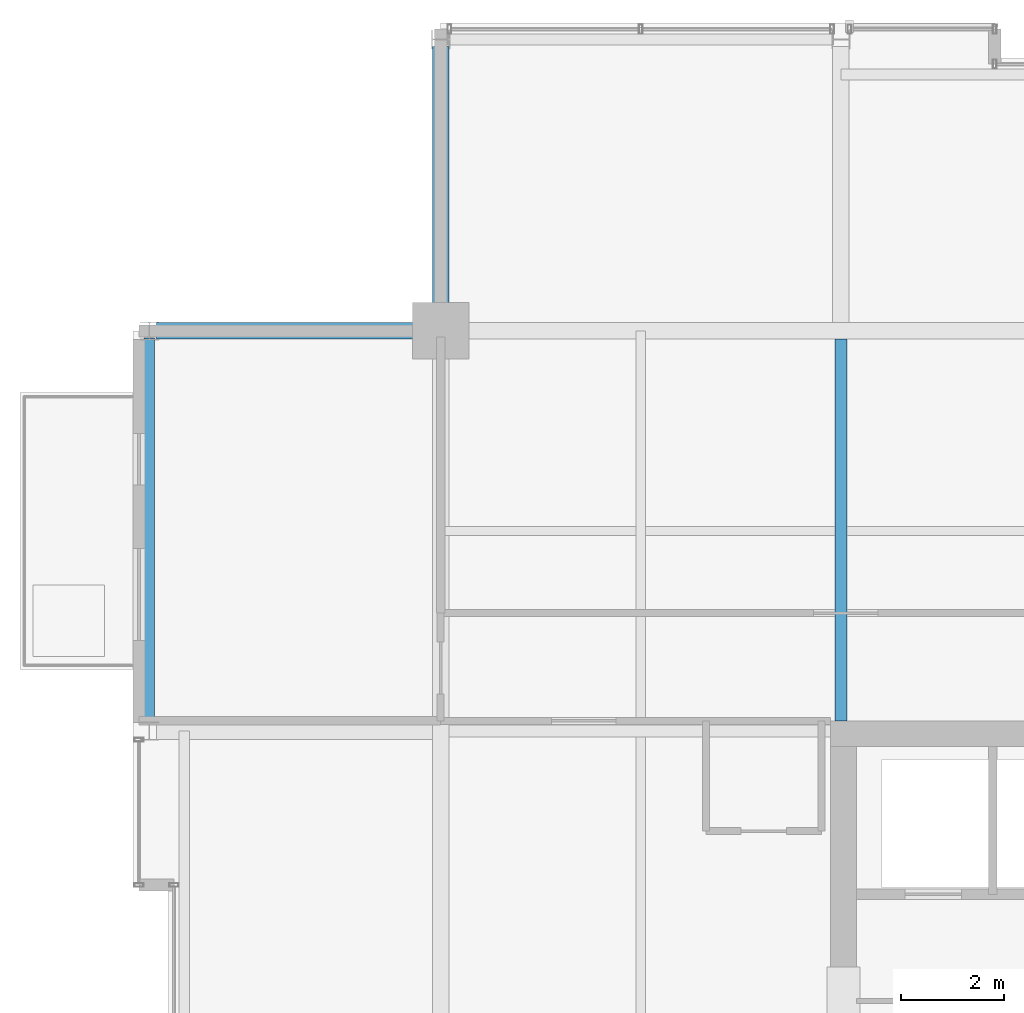
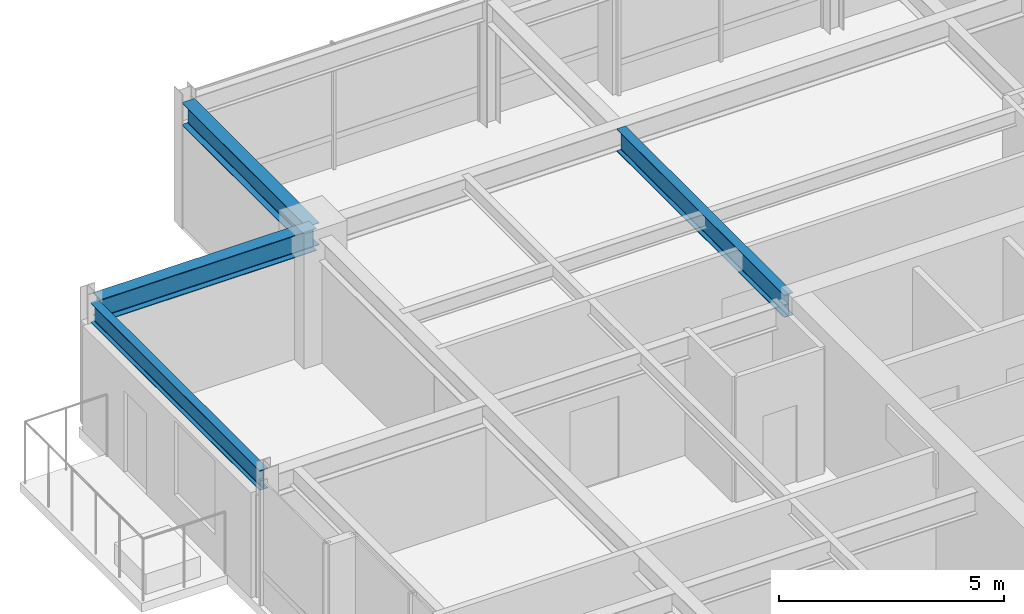
# One storey, part 20 of 33: 4 beams.
"""IFC4 building model written with IfcOpenShell, lengths in metres."""

from ifc_helpers import new_model, si_unit, direction, frame, origin, origin_2d, place, context, subcontext, project, spatial, i_section, extrude, material, material_profile, profile_set, type_object, element, save


model = new_model("IFC4")

# Units and contexts
model_context = context("Model", 3, precision=1e-05, world=origin(), true_north=direction((0.0, 1.0)))
body_context = subcontext(model_context, "Body", "Model", "MODEL_VIEW")
ifc_project = project(units=[si_unit("LENGTHUNIT", "METRE"), si_unit("AREAUNIT", "SQUARE_METRE"), si_unit("VOLUMEUNIT", "CUBIC_METRE"), si_unit("PLANEANGLEUNIT", "RADIAN"), si_unit("MASSUNIT", "GRAM", prefix="KILO")], contexts=[model_context])

# Site, building, storey
site_placement = place(None, origin())
site = spatial("IfcSite", under=ifc_project, at=site_placement, CompositionType="ELEMENT")
building_placement = place(site_placement, origin())
building = spatial("IfcBuilding", under=site, at=building_placement, Name="Drelvath Grand Hotel", CompositionType="ELEMENT")
storey_placement = place(building_placement, frame((0.0, 0.0, 275.949951171875)))
storey = spatial("IfcBuildingStorey", under=building, at=storey_placement, Name="L72", CompositionType="ELEMENT", Elevation=275.949951171875)

# Beams
ifc_material = material(Name="Steel ASTM A992 Gr 50", Category="steel")
ifc_material_profile_1 = material_profile(ifc_material, i_section(OverallWidth=0.210205078125, OverallDepth=0.53662109375, WebThickness=0.010986328125, FlangeThickness=0.017333984375, FilletRadius=0.01806640625, at=origin_2d()), Name="W21X68")
ifc_profile_set_1 = profile_set([ifc_material_profile_1], Name="Steel ASTM A992 Gr 50")
beam_type_1 = type_object("IfcBeamType", Name="Perimeter Spandrel Beam W21X68", PredefinedType="SPANDREL", material=ifc_profile_set_1)
beam_1_placement = place(storey_placement, frame((-21.8798828125, 35.5400390625, 3.12158203125), z_axis=(0.0, 1.0, 0.0), x_axis=(-1.0, 0.0, 0.0)))
element("IfcBeam", 1, at=beam_1_placement, inside=storey, type_object=beam_type_1, Name="L72 Spandrel West N", PredefinedType="SPANDREL", context=body_context, shape_type="SweptSolid", body=[
    extrude(i_section(OverallWidth=0.210205078125, OverallDepth=0.53662109375, WebThickness=0.010986328125, FlangeThickness=0.017333984375, FilletRadius=0.01806640625, at=origin_2d()), origin(), (0.0, 0.0, 1.0), 7.52001953125),
])
ifc_material_profile_2 = material_profile(ifc_material, i_section(OverallWidth=0.323974609375, OverallDepth=0.611083984375, WebThickness=0.0126953125, FlangeThickness=0.01904296875, FilletRadius=0.02197265625, at=origin_2d()), Name="W24X104")
ifc_profile_set_2 = profile_set([ifc_material_profile_2], Name="Steel ASTM A992 Gr 50")
beam_type_2 = type_object("IfcBeamType", Name="Primary Floor Girder W24X104", PredefinedType="BEAM", material=ifc_profile_set_2)
for number, where, z_axis, x_axis, name in (
    (2, (-21.739990234375, 43.199951171875, 3.08447265625), (1.0, 0.0, 0.0), (0.0, 1.0, 0.0), "L72 West Grid Girder G"),
    (3, (-16.199951171875, 43.199951171875, 3.08447265625), (0.0, 1.0, 0.0), (-1.0, 0.0, 0.0), "L72 North Grid Girder 3"),
):
    element("IfcBeam", number, at=place(storey_placement, frame(where, z_axis=z_axis, x_axis=x_axis)), inside=storey, type_object=beam_type_2, Name=name, PredefinedType="BEAM", context=body_context, shape_type="SweptSolid", body=[
        extrude(i_section(OverallWidth=0.323974609375, OverallDepth=0.611083984375, WebThickness=0.0126953125, FlangeThickness=0.01904296875, FilletRadius=0.02197265625, at=origin_2d()), origin(), (0.0, 0.0, 1.0), 5.5400390625),
    ])
ifc_material_profile_3 = material_profile(ifc_material, i_section(OverallWidth=0.228271484375, OverallDepth=0.607666015625, WebThickness=0.01123046875, FlangeThickness=0.017333984375, FilletRadius=0.02001953125, at=origin_2d()), Name="W24X76")
ifc_profile_set_3 = profile_set([ifc_material_profile_3], Name="Steel ASTM A992 Gr 50")
beam_type_3 = type_object("IfcBeamType", Name="Primary Floor Girder W24X76", PredefinedType="BEAM", material=ifc_profile_set_3)
beam_2_placement = place(storey_placement, frame((-8.39990234375, 35.60009765625, 3.086181640625), z_axis=(0.0, 1.0, 0.0), x_axis=(-1.0, 0.0, 0.0)))
element("IfcBeam", 4, at=beam_2_placement, inside=storey, type_object=beam_type_3, Name="L72 North Core Tie 4", PredefinedType="BEAM", context=body_context, shape_type="SweptSolid", body=[
    extrude(i_section(OverallWidth=0.228271484375, OverallDepth=0.607666015625, WebThickness=0.01123046875, FlangeThickness=0.017333984375, FilletRadius=0.02001953125, at=origin_2d()), origin(), (0.0, 0.0, 1.0), 7.43798828125),
])

save(model, "model.ifc")
